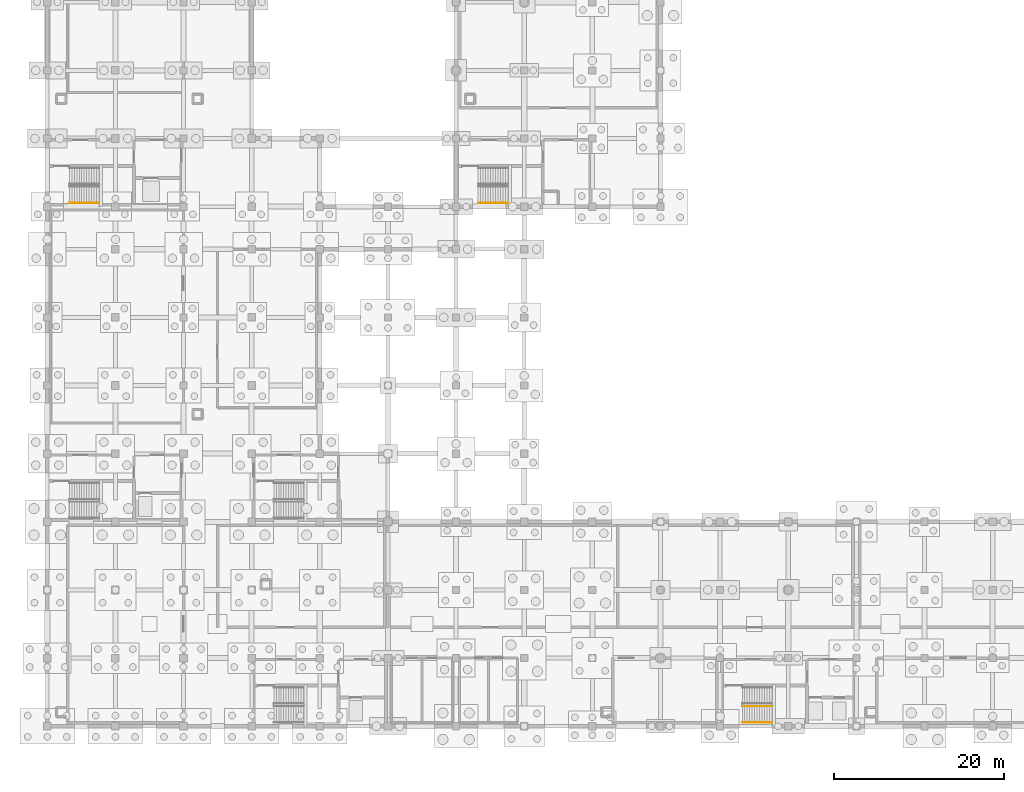
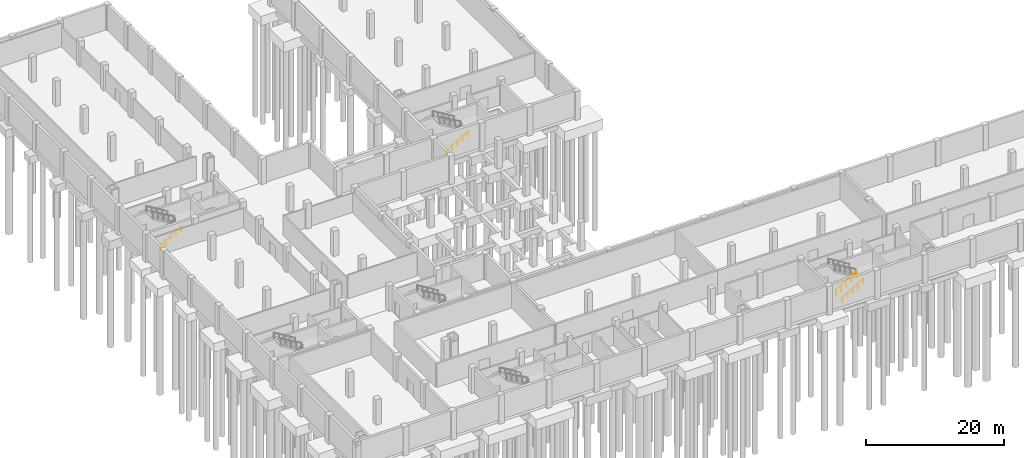
# One storey, part 21 of 26: 4 railings.
"""IFC4 building model written with IfcOpenShell, lengths in metres."""

from ifc_helpers import new_model, si_unit, direction, frame, origin, origin_2d, place, context, subcontext, project, spatial, circle, extrude, material, type_object, element, save


model = new_model("IFC4")

# Units and contexts
model_context = context("Model", 3, precision=1e-05, world=origin(), true_north=direction((0.0, 1.0)))
body_context = subcontext(model_context, "Body", "Model", "MODEL_VIEW")
ifc_project = project(units=[si_unit("LENGTHUNIT", "METRE"), si_unit("AREAUNIT", "SQUARE_METRE"), si_unit("VOLUMEUNIT", "CUBIC_METRE"), si_unit("PLANEANGLEUNIT", "RADIAN"), si_unit("MASSUNIT", "GRAM", prefix="KILO")], contexts=[model_context])

# Site, building, storey
site_placement = place(None, origin())
site = spatial("IfcSite", under=ifc_project, at=site_placement, CompositionType="ELEMENT")
building_placement = place(site_placement, origin())
building = spatial("IfcBuilding", under=site, at=building_placement, Name="Qorikala Patio Media Centre", CompositionType="ELEMENT")
storey_placement = place(building_placement, frame((0.0, 0.0, -4.5)))
storey = spatial("IfcBuildingStorey", under=building, at=storey_placement, Name="B1", CompositionType="ELEMENT", Elevation=-4.5)

# Railings
ifc_material_1 = material(Name="Wrought Bronze and Steel S355", Category="steel")
railing_type_1 = type_object("IfcRailingType", Name="RL-GUARD-110", PredefinedType="GUARDRAIL", material=ifc_material_1)
railing_placement = place(storey_placement, frame((84.60009765625, 5.35009765625, 0.173095703125)))
element("IfcRailing", 1, at=railing_placement, inside=storey, type_object=railing_type_1, Name="B1 ST-4 stair guard 1", PredefinedType="GUARDRAIL", context=body_context, shape_type="SweptSolid", body=[
    extrude(circle(Radius=0.02392578125, at=origin_2d()), frame((0.0, 0.0, 1.076171875), z_axis=(0.858697190188, 0.0, 0.512483302717), x_axis=(0.0, 1.0, 0.0)), (0.0, 0.0, 1.0), 4.052734375),
    extrude(circle(Radius=0.02099609375, at=origin_2d()), origin(), (0.0, 0.0, 1.0), 1.052001953125),
    extrude(circle(Radius=0.02099609375, at=origin_2d()), frame((0.8701171875, 0.0, 0.519287109375)), (0.0, 0.0, 1.0), 1.052001953125),
    extrude(circle(Radius=0.02099609375, at=origin_2d()), frame((1.739990234375, 0.0, 1.03857421875)), (0.0, 0.0, 1.0), 1.052001953125),
    extrude(circle(Radius=0.02099609375, at=origin_2d()), frame((2.60986328125, 0.0, 1.5576171875)), (0.0, 0.0, 1.0), 1.052001953125),
    extrude(circle(Radius=0.02099609375, at=origin_2d()), frame((3.47998046875, 0.0, 2.076904296875)), (0.0, 0.0, 1.0), 1.052001953125),
])
ifc_material_2 = material(Name="Brushed Bronze Tubular Steel S355", Category="steel")
railing_type_2 = type_object("IfcRailingType", Name="RL-HAND-090", PredefinedType="HANDRAIL", material=ifc_material_2)
for number, where, name in (
    (2, (5.60009765625, 64.449951171875, 0.173095703125), "B1 ST-3 stair handrail 1"),
    (3, (84.60009765625, 3.449951171875, 0.173095703125), "B1 ST-4 stair handrail 1"),
    (4, (53.60009765625, 64.449951171875, 0.173095703125), "B1 ST-6 stair handrail 1"),
):
    element("IfcRailing", number, at=place(storey_placement, frame(where)), inside=storey, type_object=railing_type_2, Name=name, PredefinedType="HANDRAIL", context=body_context, shape_type="SweptSolid", body=[
        extrude(circle(Radius=0.02392578125, at=origin_2d()), frame((0.0, 0.0, 0.8759765625), z_axis=(0.858697190188, 0.0, 0.512483302717), x_axis=(0.0, 1.0, 0.0)), (0.0, 0.0, 1.0), 4.052734375),
        extrude(circle(Radius=0.02099609375, at=origin_2d()), origin(), (0.0, 0.0, 1.0), 0.851806640625),
        extrude(circle(Radius=0.02099609375, at=origin_2d()), frame((0.8701171875, 0.0, 0.519287109375)), (0.0, 0.0, 1.0), 0.851806640625),
        extrude(circle(Radius=0.02099609375, at=origin_2d()), frame((1.739990234375, 0.0, 1.03857421875)), (0.0, 0.0, 1.0), 0.851806640625),
        extrude(circle(Radius=0.02099609375, at=origin_2d()), frame((2.60986328125, 0.0, 1.5576171875)), (0.0, 0.0, 1.0), 0.851806640625),
        extrude(circle(Radius=0.02099609375, at=origin_2d()), frame((3.47998046875, 0.0, 2.076904296875)), (0.0, 0.0, 1.0), 0.851806640625),
    ])

save(model, "model.ifc")
